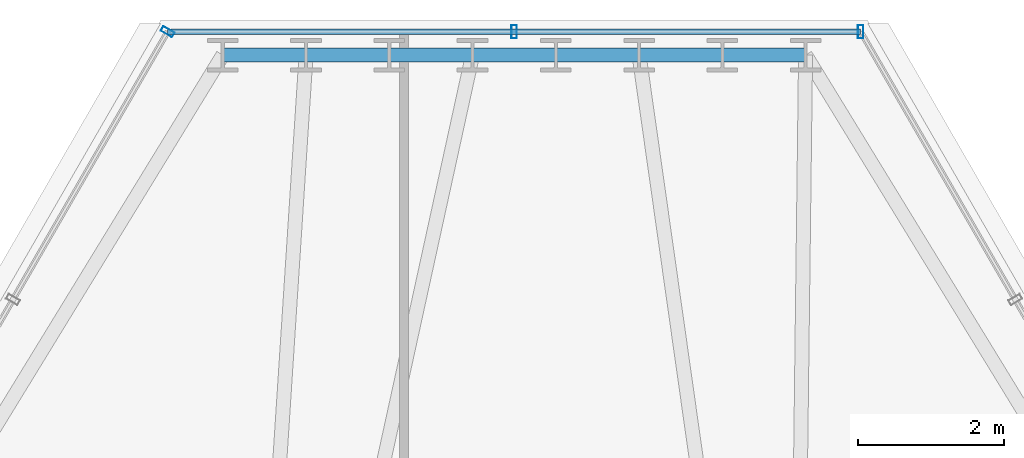
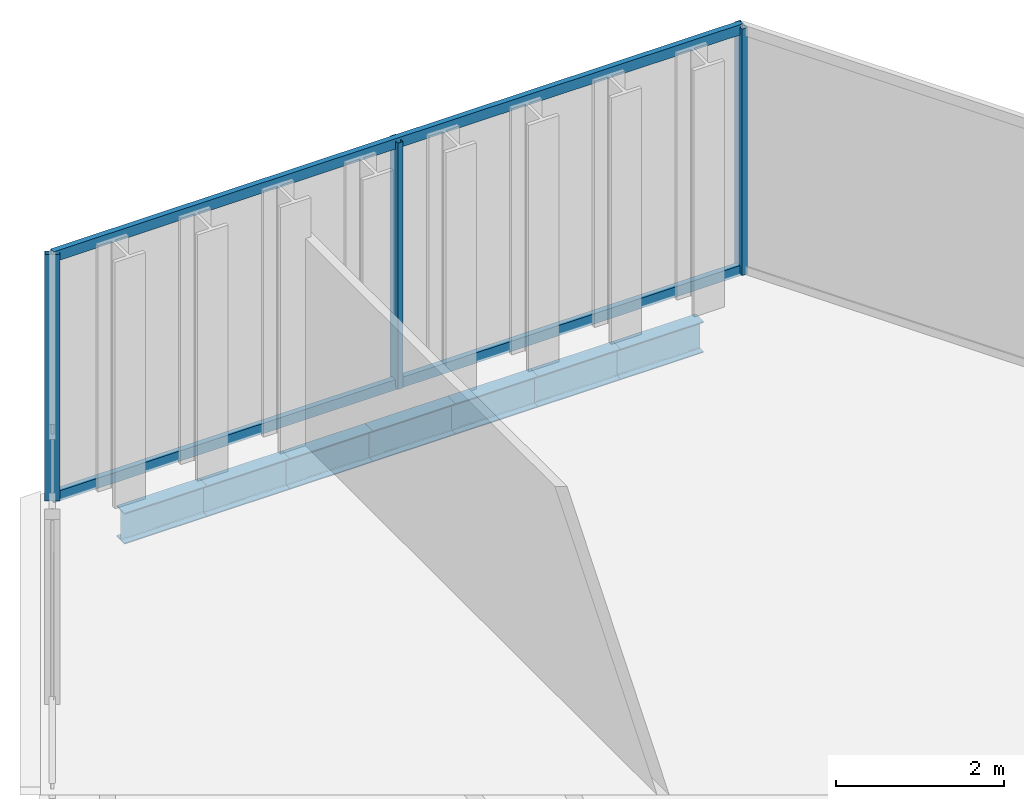
# One storey, part 23 of 33: 7 beams, 5 members, 2 elements without a shape of their own.
"""IFC4 building model written with IfcOpenShell, lengths in metres."""

from ifc_helpers import new_model, si_unit, direction, frame, origin, origin_2d, place, context, subcontext, project, spatial, hollow_rectangle, i_section, extrude, material, layer, layer_set, material_profile, profile_set, type_object, element, aggregate, save


model = new_model("IFC4")

# Units and contexts
model_context = context("Model", 3, precision=1e-05, world=origin(), true_north=direction((0.0, 1.0)))
body_context = subcontext(model_context, "Body", "Model", "MODEL_VIEW")
ifc_project = project(units=[si_unit("LENGTHUNIT", "METRE"), si_unit("AREAUNIT", "SQUARE_METRE"), si_unit("VOLUMEUNIT", "CUBIC_METRE"), si_unit("PLANEANGLEUNIT", "RADIAN"), si_unit("MASSUNIT", "GRAM", prefix="KILO")], contexts=[model_context])

# Site, building, storey
site_placement = place(None, origin())
site = spatial("IfcSite", under=ifc_project, at=site_placement, CompositionType="ELEMENT")
building_placement = place(site_placement, origin())
building = spatial("IfcBuilding", under=site, at=building_placement, Name="Ndaravel Arena Tower", CompositionType="ELEMENT")
storey_placement = place(building_placement, frame((0.0, 0.0, 184.0)))
storey = spatial("IfcBuildingStorey", under=building, at=storey_placement, Name="L44", CompositionType="ELEMENT", Elevation=184.0)

# Beams
ifc_material_1 = material(Name="Steel S355", Category="steel")
ifc_material_profile_1 = material_profile(ifc_material_1, i_section(OverallWidth=0.18994140625, OverallDepth=0.449951171875, WebThickness=0.009521484375, FlangeThickness=0.0146484375, FilletRadius=0.02099609375, at=origin_2d()), Name="IPE 450")
ifc_profile_set_1 = profile_set([ifc_material_profile_1], Name="Steel S355")
beam_type = type_object("IfcBeamType", Name="BM-SPAN-IPE450", PredefinedType="SPANDREL", material=ifc_profile_set_1)
beam_1_placement = place(storey_placement, frame((45.980712890625, 45.97265625, -0.445068359375), z_axis=(-1.0, 0.0, 0.0), x_axis=(0.0, -1.0, 0.0)))
element("IfcBeam", 1, at=beam_1_placement, inside=storey, type_object=beam_type, Name="L44 Perimeter Spandrel Beam SP-11", PredefinedType="SPANDREL", context=body_context, shape_type="SweptSolid", body=[
    extrude(i_section(OverallWidth=0.18994140625, OverallDepth=0.449951171875, WebThickness=0.009521484375, FlangeThickness=0.0146484375, FilletRadius=0.02099609375, at=origin_2d()), origin(), (0.0, 0.0, 1.0), 1.137451171875),
])
beam_2_placement = place(storey_placement, frame((44.84326171875, 45.97265625, -0.445068359375), z_axis=(-1.0, 0.0, 0.0), x_axis=(0.0, -1.0, 0.0)))
element("IfcBeam", 2, at=beam_2_placement, inside=storey, type_object=beam_type, Name="L44 Perimeter Spandrel Beam SP-12", PredefinedType="SPANDREL", context=body_context, shape_type="SweptSolid", body=[
    extrude(i_section(OverallWidth=0.18994140625, OverallDepth=0.449951171875, WebThickness=0.009521484375, FlangeThickness=0.0146484375, FilletRadius=0.02099609375, at=origin_2d()), origin(), (0.0, 0.0, 1.0), 1.13720703125),
])
beam_3_placement = place(storey_placement, frame((43.7060546875, 45.97265625, -0.445068359375), z_axis=(-1.0, 0.0, 0.0), x_axis=(0.0, -1.0, 0.0)))
element("IfcBeam", 3, at=beam_3_placement, inside=storey, type_object=beam_type, Name="L44 Perimeter Spandrel Beam SP-13", PredefinedType="SPANDREL", context=body_context, shape_type="SweptSolid", body=[
    extrude(i_section(OverallWidth=0.18994140625, OverallDepth=0.449951171875, WebThickness=0.009521484375, FlangeThickness=0.0146484375, FilletRadius=0.02099609375, at=origin_2d()), origin(), (0.0, 0.0, 1.0), 1.137451171875),
])
beam_4_placement = place(storey_placement, frame((42.568603515625, 45.97265625, -0.445068359375), z_axis=(-1.0, 0.0, 0.0), x_axis=(0.0, -1.0, 0.0)))
element("IfcBeam", 4, at=beam_4_placement, inside=storey, type_object=beam_type, Name="L44 Perimeter Spandrel Beam SP-14", PredefinedType="SPANDREL", context=body_context, shape_type="SweptSolid", body=[
    extrude(i_section(OverallWidth=0.18994140625, OverallDepth=0.449951171875, WebThickness=0.009521484375, FlangeThickness=0.0146484375, FilletRadius=0.02099609375, at=origin_2d()), origin(), (0.0, 0.0, 1.0), 1.13720703125),
])
beam_5_placement = place(storey_placement, frame((41.431396484375, 45.97265625, -0.445068359375), z_axis=(-1.0, 0.0, 0.0), x_axis=(0.0, -1.0, 0.0)))
element("IfcBeam", 5, at=beam_5_placement, inside=storey, type_object=beam_type, Name="L44 Perimeter Spandrel Beam SP-15", PredefinedType="SPANDREL", context=body_context, shape_type="SweptSolid", body=[
    extrude(i_section(OverallWidth=0.18994140625, OverallDepth=0.449951171875, WebThickness=0.009521484375, FlangeThickness=0.0146484375, FilletRadius=0.02099609375, at=origin_2d()), origin(), (0.0, 0.0, 1.0), 1.137451171875),
])
beam_6_placement = place(storey_placement, frame((40.2939453125, 45.97265625, -0.445068359375), z_axis=(-1.0, 0.0, 0.0), x_axis=(0.0, -1.0, 0.0)))
element("IfcBeam", 6, at=beam_6_placement, inside=storey, type_object=beam_type, Name="L44 Perimeter Spandrel Beam SP-16", PredefinedType="SPANDREL", context=body_context, shape_type="SweptSolid", body=[
    extrude(i_section(OverallWidth=0.18994140625, OverallDepth=0.449951171875, WebThickness=0.009521484375, FlangeThickness=0.0146484375, FilletRadius=0.02099609375, at=origin_2d()), origin(), (0.0, 0.0, 1.0), 1.13720703125),
])
beam_7_placement = place(storey_placement, frame((39.15673828125, 45.97265625, -0.445068359375), z_axis=(-1.0, 0.0, 0.0), x_axis=(0.0, -1.0, 0.0)))
element("IfcBeam", 7, at=beam_7_placement, inside=storey, type_object=beam_type, Name="L44 Perimeter Spandrel Beam SP-17", PredefinedType="SPANDREL", context=body_context, shape_type="SweptSolid", body=[
    extrude(i_section(OverallWidth=0.18994140625, OverallDepth=0.449951171875, WebThickness=0.009521484375, FlangeThickness=0.0146484375, FilletRadius=0.02099609375, at=origin_2d()), origin(), (0.0, 0.0, 1.0), 1.137451171875),
])

# Curtain wall, members
ifc_material_2 = material(Name="Aluminium", Category="aluminium")
ifc_layer_1 = layer(ifc_material_2, 0.179931640625)
ifc_layer_set_1 = layer_set([ifc_layer_1], Name="Aluminium")
curtain_wall_type_1 = type_object("IfcCurtainWallType", Name="CW-SYS-01", PredefinedType="NOTDEFINED", material=ifc_layer_set_1)
curtain_wall_1_placement = place(storey_placement, origin())
curtain_wall_1 = element("IfcCurtainWall", 8, at=curtain_wall_1_placement, inside=storey, type_object=curtain_wall_type_1, Name="L44 Faceted Crystal Curtain Wall CW-L44-E04", PredefinedType="NOTDEFINED")
ifc_material_3 = material(Name="Aluminium", Category="aluminium")
ifc_material_profile_2 = material_profile(ifc_material_3, hollow_rectangle(XDim=0.074951171875, YDim=0.179931640625, WallThickness=0.00390625, at=origin_2d()), Name="CW MULLION 75x180x4")
ifc_profile_set_2 = profile_set([ifc_material_profile_2], Name="Aluminium")
member_type_1 = type_object("IfcMemberType", Name="MEM-CW-MUL180", PredefinedType="MULLION", material=ifc_profile_set_2)
member_1_placement = place(storey_placement, frame((46.73388671875, 46.29248046875, 0.0), z_axis=(0.0, 0.0, 1.0), x_axis=(-1.0, 0.0, 0.0)))
member_1 = element("IfcMember", 9, at=member_1_placement, type_object=member_type_1, Name="CW-L44-E04 Mullion 00", PredefinedType="MULLION", context=body_context, shape_type="SweptSolid", body=[
    extrude(hollow_rectangle(XDim=0.074951171875, YDim=0.179931640625, WallThickness=0.00390625, at=origin_2d()), origin(), (0.0, 0.0, 1.0), 3.580078125),
])
member_2_placement = place(storey_placement, frame((42.0, 46.29248046875, 0.0), z_axis=(0.0, 0.0, 1.0), x_axis=(-1.0, 0.0, 0.0)))
member_2 = element("IfcMember", 10, at=member_2_placement, type_object=member_type_1, Name="CW-L44-E04 Mullion 01", PredefinedType="MULLION", context=body_context, shape_type="SweptSolid", body=[
    extrude(hollow_rectangle(XDim=0.074951171875, YDim=0.179931640625, WallThickness=0.00390625, at=origin_2d()), origin(), (0.0, 0.0, 1.0), 3.580078125),
])

# Curtain wall, member
ifc_material_4 = material(Name="Aluminium", Category="aluminium")
ifc_layer_2 = layer(ifc_material_4, 0.179931640625)
ifc_layer_set_2 = layer_set([ifc_layer_2], Name="Aluminium")
curtain_wall_type_2 = type_object("IfcCurtainWallType", Name="CW-SYS-03", PredefinedType="NOTDEFINED", material=ifc_layer_set_2)
curtain_wall_2_placement = place(storey_placement, origin())
curtain_wall_2 = element("IfcCurtainWall", 11, at=curtain_wall_2_placement, inside=storey, type_object=curtain_wall_type_2, Name="L44 Faceted Crystal Curtain Wall CW-L44-E05", PredefinedType="NOTDEFINED")
member_3_placement = place(storey_placement, frame((37.26611328125, 46.29248046875, 0.0), z_axis=(0.0, 0.0, 1.0), x_axis=(-0.5, -0.866025403784, 0.0)))
member_3 = element("IfcMember", 12, at=member_3_placement, type_object=member_type_1, Name="CW-L44-E05 Mullion 00", PredefinedType="MULLION", context=body_context, shape_type="SweptSolid", body=[
    extrude(hollow_rectangle(XDim=0.074951171875, YDim=0.179931640625, WallThickness=0.00390625, at=origin_2d()), origin(), (0.0, 0.0, 1.0), 3.580078125),
])
aggregate(curtain_wall_2, [member_3])

# Member
ifc_material_5 = material(Name="Aluminium", Category="aluminium")
ifc_material_profile_3 = material_profile(ifc_material_5, hollow_rectangle(XDim=0.074951171875, YDim=0.14990234375, WallThickness=0.00390625, at=origin_2d()), Name="CW TRANSOM 75x150x4")
ifc_profile_set_3 = profile_set([ifc_material_profile_3], Name="Aluminium")
member_type_2 = type_object("IfcMemberType", Name="MEM-CW-TRN150", PredefinedType="USERDEFINED", material=ifc_profile_set_3)
member_4_placement = place(storey_placement, frame((46.73388671875, 46.29248046875, 0.0400390625), z_axis=(-1.0, 0.0, 0.0), x_axis=(0.0, -1.0, 0.0)))
member_4 = element("IfcMember", 13, at=member_4_placement, type_object=member_type_2, Name="CW-L44-E04 Transom 01", ObjectType="TRANSOM", PredefinedType="USERDEFINED", context=body_context, shape_type="SweptSolid", body=[
    extrude(hollow_rectangle(XDim=0.074951171875, YDim=0.14990234375, WallThickness=0.00390625, at=origin_2d()), origin(), (0.0, 0.0, 1.0), 9.4677734375),
])

member_5_placement = place(storey_placement, frame((46.73388671875, 46.29248046875, 3.5400390625), z_axis=(-1.0, 0.0, 0.0), x_axis=(0.0, -1.0, 0.0)))
member_5 = element("IfcMember", 14, at=member_5_placement, type_object=member_type_2, Name="CW-L44-E04 Transom 02", ObjectType="TRANSOM", PredefinedType="USERDEFINED", context=body_context, shape_type="SweptSolid", body=[
    extrude(hollow_rectangle(XDim=0.074951171875, YDim=0.14990234375, WallThickness=0.00390625, at=origin_2d()), origin(), (0.0, 0.0, 1.0), 9.4677734375),
])

aggregate(curtain_wall_1, [member_1, member_2, member_4, member_5])

save(model, "model.ifc")
